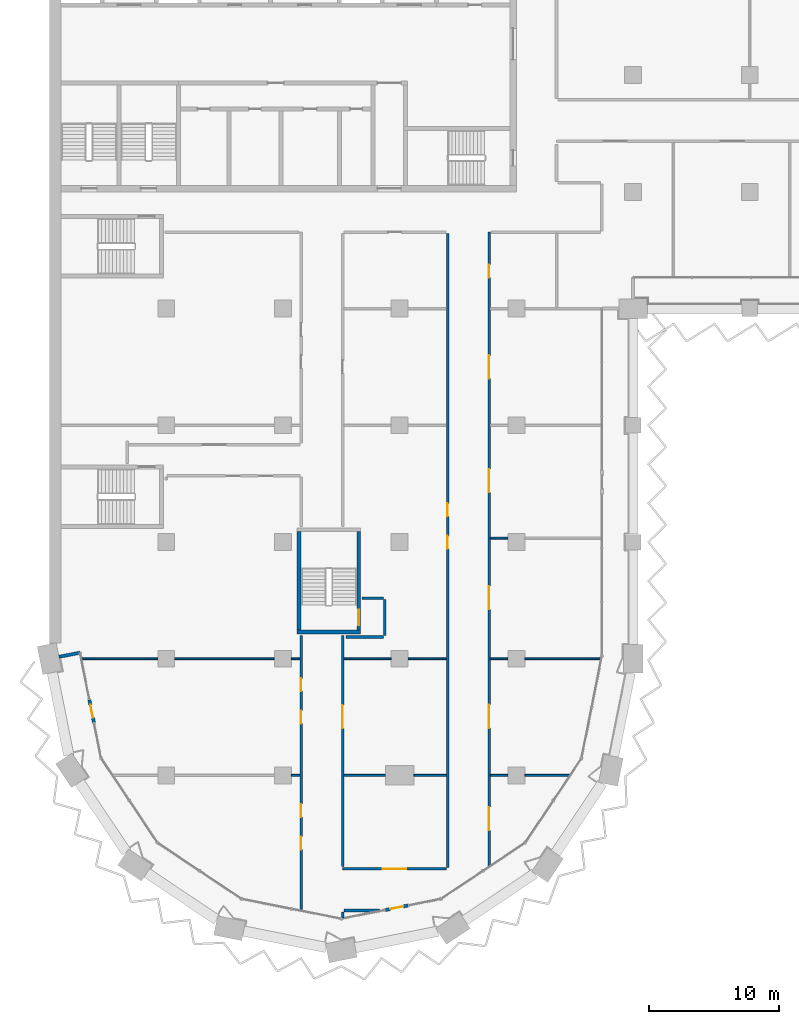
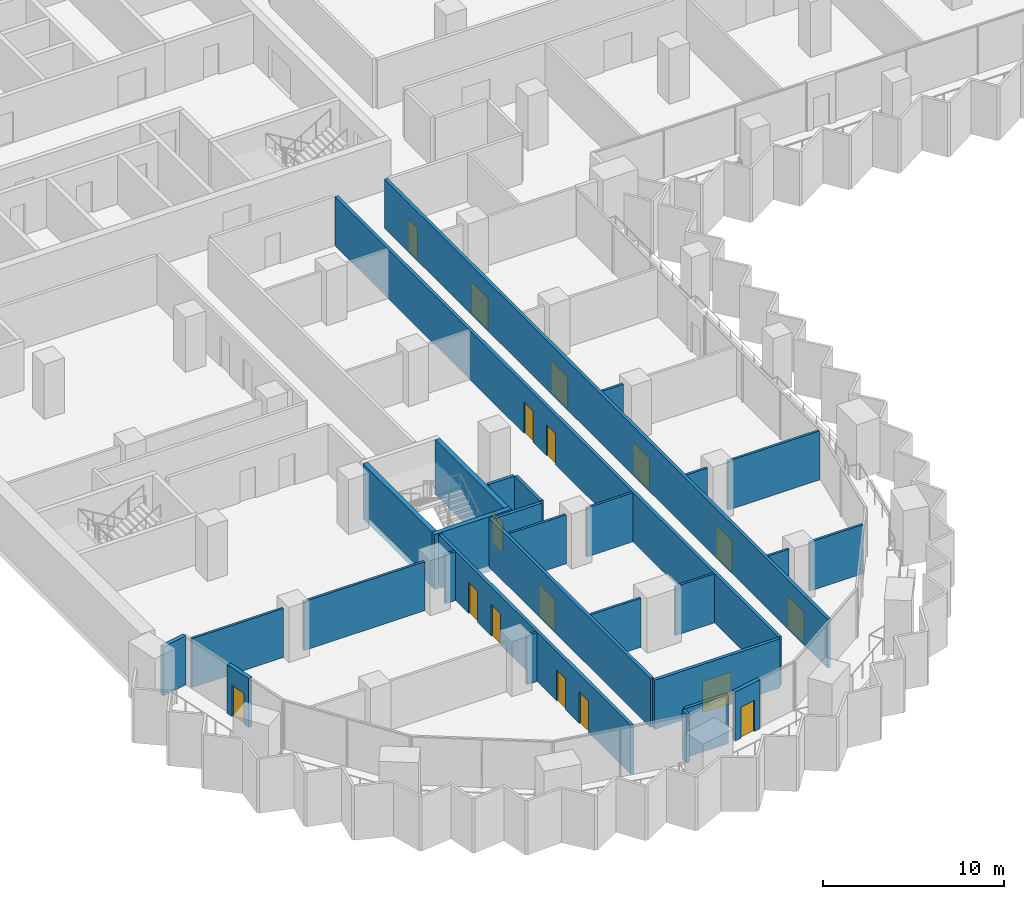
# One storey, part 9 of 22: 29 walls, 17 doors, 17 openings.
"""IFC4 building model written with IfcOpenShell, lengths in metres."""

from ifc_helpers import new_model, si_unit, direction, frame, frame_2d, origin, place, context, subcontext, project, spatial, rectangle, extrude, material, layer, layer_set, type_object, element, fill, save


model = new_model("IFC4")

# Units and contexts
model_context = context("Model", 3, precision=1e-05, world=origin(), true_north=direction((0.0, 1.0)))
body_context = subcontext(model_context, "Body", "Model", "MODEL_VIEW")
ifc_project = project(units=[si_unit("LENGTHUNIT", "METRE"), si_unit("AREAUNIT", "SQUARE_METRE"), si_unit("VOLUMEUNIT", "CUBIC_METRE"), si_unit("PLANEANGLEUNIT", "RADIAN"), si_unit("MASSUNIT", "GRAM", prefix="KILO")], contexts=[model_context])

# Site, building, storey
site_placement = place(None, origin())
site = spatial("IfcSite", under=ifc_project, at=site_placement, CompositionType="ELEMENT")
building_placement = place(site_placement, origin())
building = spatial("IfcBuilding", under=site, at=building_placement, Name="Hunhe Ridgeline Campus", CompositionType="ELEMENT")
storey_placement = place(building_placement, frame((0.0, 0.0, 88.5)))
storey = spatial("IfcBuildingStorey", under=building, at=storey_placement, Name="L21", CompositionType="ELEMENT", Elevation=88.5)

# Walls
ifc_material_1 = material(Name="Concrete C30", Category="concrete")
ifc_layer_1 = layer(ifc_material_1, 0.25)
ifc_layer_set_1 = layer_set([ifc_layer_1], Name="Corner return wall 250 Concrete C30")
wall_type_1 = type_object("IfcWallType", Name="Corner return wall 250 Concrete C30", PredefinedType="SOLIDWALL", material=ifc_layer_set_1)
wall_1_placement = place(storey_placement, frame((0.7353515625, 27.14697265625, 0.0), z_axis=(0.0, 0.0, 1.0), x_axis=(0.980824468215, 0.194893208067, 0.0)))
element("IfcWall", 1, at=wall_1_placement, inside=storey, type_object=wall_type_1, Name="Corner return wall 1", PredefinedType="SOLIDWALL", context=body_context, shape_type="SweptSolid", body=[
    extrude(rectangle(XDim=1.651123046875, YDim=0.25, at=frame_2d((0.82568359375, 0.0))), origin(), (0.0, 0.0, 1.0), 3.300048828125),
])
ifc_material_2 = material(Name="Gypsum board partition")
ifc_layer_2 = layer(ifc_material_2, 0.199951171875)
ifc_layer_set_2 = layer_set([ifc_layer_2], Name="Corridor partition 200 gypsum board on steel studs")
wall_type_2 = type_object("IfcWallType", Name="Corridor partition 200 gypsum board on steel studs", PredefinedType="PARTITIONING", material=ifc_layer_set_2)
wall_2_placement = place(storey_placement, frame((25.45068359375, 7.590087890625, 0.0), z_axis=(0.0, 0.0, 1.0), x_axis=(-1.0, 0.0, 0.0)))
element("IfcWall", 2, at=wall_2_placement, inside=storey, type_object=wall_type_2, Name="F-L21-wall-001", PredefinedType="PARTITIONING", context=body_context, shape_type="SweptSolid", body=[
    extrude(rectangle(XDim=2.750732421875, YDim=0.199951171875, at=frame_2d((1.37548828125, 0.0))), origin(), (0.0, 0.0, 1.0), 3.300048828125),
])

# Wall, opening, door
wall_3_placement = place(storey_placement, frame((22.60009765625, 10.799072265625, 0.0), z_axis=(0.0, 0.0, 1.0), x_axis=(1.0, 0.0, 0.0)))
wall_3 = element("IfcWall", 3, at=wall_3_placement, inside=storey, type_object=wall_type_2, Name="F-L21-wall-002", PredefinedType="PARTITIONING", context=body_context, shape_type="SweptSolid", body=[
    extrude(rectangle(XDim=8.0, YDim=0.199951171875, at=frame_2d((4.0, 0.0))), origin(), (0.0, 0.0, 1.0), 3.300048828125),
])
opening_1_placement = place(wall_3_placement, frame((3.10009765625, 0.0, 0.0)))
opening_1 = element("IfcOpeningElement", 4, at=opening_1_placement, cuts=wall_3, Name="Opening RD2-001", PredefinedType="OPENING", context=body_context, shape_type="SweptSolid", body=[
    extrude(rectangle(XDim=1.800048828125, YDim=2.10009765625, at=frame_2d((0.89990234375, 1.050048828125))), frame((0.0, 0.10009765625, 0.0), z_axis=(0.0, -1.0, 0.0), x_axis=(1.0, 0.0, 0.0)), (0.0, 0.0, 1.0), 0.199951171875),
])
ifc_material_3 = material(Name="Timber door leaf", Category="wood")
door_type_1 = type_object("IfcDoorType", Name="Double fire door 1800x2100 timber FD60", OperationType="DOUBLE_DOOR_SINGLE_SWING", PredefinedType="DOOR", material=ifc_material_3)
door_1_placement = place(opening_1_placement, origin())
door_1 = element("IfcDoor", 5, at=door_1_placement, inside=storey, type_object=door_type_1, Name="F-L21-door-001", OperationType="DOUBLE_DOOR_SINGLE_SWING", OverallHeight=2.10009765625, OverallWidth=1.800048828125, PredefinedType="DOOR", context=body_context, shape_type="SweptSolid", body=[
    extrude(rectangle(XDim=1.800048828125, YDim=2.10009765625, at=frame_2d((0.89990234375, 1.050048828125))), frame((0.0, 0.02490234375, 0.0), z_axis=(0.0, -1.0, 0.0), x_axis=(1.0, 0.0, 0.0)), (0.0, 0.0, 1.0), 0.050048828125),
])
fill(opening_1, door_1)

# Walls
wall_4_placement = place(storey_placement, frame((25.75, 28.675048828125, 0.0), z_axis=(0.0, 0.0, 1.0), x_axis=(-1.0, 0.0, 0.0)))
element("IfcWall", 6, at=wall_4_placement, inside=storey, type_object=wall_type_2, Name="F-L21-wall-017", PredefinedType="PARTITIONING", context=body_context, shape_type="SweptSolid", body=[
    extrude(rectangle(XDim=2.89990234375, YDim=0.199951171875, at=frame_2d((1.449951171875, 0.0))), origin(), (0.0, 0.0, 1.0), 3.300048828125),
])
wall_5_placement = place(storey_placement, frame((24.10400390625, 31.675048828125, 0.0), z_axis=(0.0, 0.0, 1.0), x_axis=(1.0, 0.0, 0.0)))
element("IfcWall", 7, at=wall_5_placement, inside=storey, type_object=wall_type_2, Name="F-L21-wall-018", PredefinedType="PARTITIONING", context=body_context, shape_type="SweptSolid", body=[
    extrude(rectangle(XDim=1.64599609375, YDim=0.199951171875, at=frame_2d((0.822998046875, 0.0))), origin(), (0.0, 0.0, 1.0), 3.300048828125),
])

# Wall, openings, doors
wall_6_placement = place(storey_placement, frame((19.39990234375, 7.61962890625, 0.0), z_axis=(0.0, 0.0, 1.0), x_axis=(0.0, 1.0, 0.0)))
wall_6 = element("IfcWall", 8, at=wall_6_placement, inside=storey, type_object=wall_type_2, Name="F-L21-wall-046", PredefinedType="PARTITIONING", context=body_context, shape_type="SweptSolid", body=[
    extrude(rectangle(XDim=21.17626953125, YDim=0.199951171875, at=frame_2d((10.588134765625, 0.0))), origin(), (0.0, 0.0, 1.0), 3.300048828125),
])
opening_2_placement = place(wall_6_placement, frame((4.66796875, 0.0, 0.0)))
opening_2 = element("IfcOpeningElement", 9, at=opening_2_placement, cuts=wall_6, Name="Opening RD1-002", PredefinedType="OPENING", context=body_context, shape_type="SweptSolid", body=[
    extrude(rectangle(XDim=1.0, YDim=2.10009765625, at=frame_2d((0.5, 1.050048828125))), frame((0.0, 0.10009765625, 0.0), z_axis=(0.0, -1.0, 0.0), x_axis=(1.0, 0.0, 0.0)), (0.0, 0.0, 1.0), 0.199951171875),
])
opening_3_placement = place(wall_6_placement, frame((7.16796875, 0.0, 0.0)))
opening_3 = element("IfcOpeningElement", 10, at=opening_3_placement, cuts=wall_6, Name="Opening RD1-004", PredefinedType="OPENING", context=body_context, shape_type="SweptSolid", body=[
    extrude(rectangle(XDim=1.0, YDim=2.10009765625, at=frame_2d((0.5, 1.050048828125))), frame((0.0, 0.10009765625, 0.0), z_axis=(0.0, -1.0, 0.0), x_axis=(1.0, 0.0, 0.0)), (0.0, 0.0, 1.0), 0.199951171875),
])
opening_4_placement = place(wall_6_placement, frame((14.373779296875, 0.0, 0.0)))
opening_4 = element("IfcOpeningElement", 11, at=opening_4_placement, cuts=wall_6, Name="Opening RD1-005", PredefinedType="OPENING", context=body_context, shape_type="SweptSolid", body=[
    extrude(rectangle(XDim=1.0, YDim=2.10009765625, at=frame_2d((0.5, 1.050048828125))), frame((0.0, 0.10009765625, 0.0), z_axis=(0.0, -1.0, 0.0), x_axis=(1.0, 0.0, 0.0)), (0.0, 0.0, 1.0), 0.199951171875),
])
opening_5_placement = place(wall_6_placement, frame((16.873779296875, 0.0, 0.0)))
opening_5 = element("IfcOpeningElement", 12, at=opening_5_placement, cuts=wall_6, Name="Opening RD1-008", PredefinedType="OPENING", context=body_context, shape_type="SweptSolid", body=[
    extrude(rectangle(XDim=1.0, YDim=2.10009765625, at=frame_2d((0.5, 1.050048828125))), frame((0.0, 0.10009765625, 0.0), z_axis=(0.0, -1.0, 0.0), x_axis=(1.0, 0.0, 0.0)), (0.0, 0.0, 1.0), 0.199951171875),
])
door_type_2 = type_object("IfcDoorType", Name="Single fire door 1000x2100 timber FD60", OperationType="NOTDEFINED", PredefinedType="DOOR", material=ifc_material_3)
door_2_placement = place(opening_2_placement, frame((1.0, 0.0, 0.0), z_axis=(0.0, 0.0, 1.0), x_axis=(-1.0, 0.0, 0.0)))
door_2 = element("IfcDoor", 13, at=door_2_placement, inside=storey, type_object=door_type_2, Name="F-L21-door-002", OperationType="SINGLE_SWING_RIGHT", OverallHeight=2.10009765625, OverallWidth=1.0, PredefinedType="DOOR", context=body_context, shape_type="SweptSolid", body=[
    extrude(rectangle(XDim=1.0, YDim=2.10009765625, at=frame_2d((0.5, 1.050048828125))), frame((0.0, 0.02490234375, 0.0), z_axis=(0.0, -1.0, 0.0), x_axis=(1.0, 0.0, 0.0)), (0.0, 0.0, 1.0), 0.050048828125),
])
fill(opening_2, door_2)
door_3_placement = place(opening_3_placement, frame((1.0, 0.0, 0.0), z_axis=(0.0, 0.0, 1.0), x_axis=(-1.0, 0.0, 0.0)))
door_3 = element("IfcDoor", 14, at=door_3_placement, inside=storey, type_object=door_type_2, Name="F-L21-door-004", OperationType="SINGLE_SWING_LEFT", OverallHeight=2.10009765625, OverallWidth=1.0, PredefinedType="DOOR", context=body_context, shape_type="SweptSolid", body=[
    extrude(rectangle(XDim=1.0, YDim=2.10009765625, at=frame_2d((0.5, 1.050048828125))), frame((0.0, 0.02490234375, 0.0), z_axis=(0.0, -1.0, 0.0), x_axis=(1.0, 0.0, 0.0)), (0.0, 0.0, 1.0), 0.050048828125),
])
fill(opening_3, door_3)
door_4_placement = place(opening_4_placement, frame((1.0, 0.0, 0.0), z_axis=(0.0, 0.0, 1.0), x_axis=(-1.0, 0.0, 0.0)))
door_4 = element("IfcDoor", 15, at=door_4_placement, inside=storey, type_object=door_type_2, Name="F-L21-door-005", OperationType="SINGLE_SWING_LEFT", OverallHeight=2.10009765625, OverallWidth=1.0, PredefinedType="DOOR", context=body_context, shape_type="SweptSolid", body=[
    extrude(rectangle(XDim=1.0, YDim=2.10009765625, at=frame_2d((0.5, 1.050048828125))), frame((0.0, 0.02490234375, 0.0), z_axis=(0.0, -1.0, 0.0), x_axis=(1.0, 0.0, 0.0)), (0.0, 0.0, 1.0), 0.050048828125),
])
fill(opening_4, door_4)
door_5_placement = place(opening_5_placement, frame((1.0, 0.0, 0.0), z_axis=(0.0, 0.0, 1.0), x_axis=(-1.0, 0.0, 0.0)))
door_5 = element("IfcDoor", 16, at=door_5_placement, inside=storey, type_object=door_type_2, Name="F-L21-door-008", OperationType="SINGLE_SWING_LEFT", OverallHeight=2.10009765625, OverallWidth=1.0, PredefinedType="DOOR", context=body_context, shape_type="SweptSolid", body=[
    extrude(rectangle(XDim=1.0, YDim=2.10009765625, at=frame_2d((0.5, 1.050048828125))), frame((0.0, 0.02490234375, 0.0), z_axis=(0.0, -1.0, 0.0), x_axis=(1.0, 0.0, 0.0)), (0.0, 0.0, 1.0), 0.050048828125),
])
fill(opening_5, door_5)

# Wall, opening, door
wall_7_placement = place(storey_placement, frame((22.60009765625, 28.7958984375, 0.0), z_axis=(0.0, 0.0, 1.0), x_axis=(0.0, -1.0, 0.0)))
wall_7 = element("IfcWall", 17, at=wall_7_placement, inside=storey, type_object=wall_type_2, Name="F-L21-wall-049", PredefinedType="PARTITIONING", context=body_context, shape_type="SweptSolid", body=[
    extrude(rectangle(XDim=17.814208984375, YDim=0.199951171875, at=frame_2d((8.9072265625, 0.0))), origin(), (0.0, 0.0, 1.0), 3.300048828125),
])
opening_6_placement = place(wall_7_placement, frame((5.37255859375, 0.0, 0.0)))
opening_6 = element("IfcOpeningElement", 18, at=opening_6_placement, cuts=wall_7, Name="Opening RD2-006", PredefinedType="OPENING", context=body_context, shape_type="SweptSolid", body=[
    extrude(rectangle(XDim=1.800048828125, YDim=2.10009765625, at=frame_2d((0.89990234375, 1.050048828125))), frame((0.0, 0.10009765625, 0.0), z_axis=(0.0, -1.0, 0.0), x_axis=(1.0, 0.0, 0.0)), (0.0, 0.0, 1.0), 0.199951171875),
])
door_6_placement = place(opening_6_placement, origin())
door_6 = element("IfcDoor", 19, at=door_6_placement, inside=storey, type_object=door_type_1, Name="F-L21-door-006", OperationType="DOUBLE_DOOR_SINGLE_SWING", OverallHeight=2.10009765625, OverallWidth=1.800048828125, PredefinedType="DOOR", context=body_context, shape_type="SweptSolid", body=[
    extrude(rectangle(XDim=1.800048828125, YDim=2.10009765625, at=frame_2d((0.89990234375, 1.050048828125))), frame((0.0, 0.02490234375, 0.0), z_axis=(0.0, -1.0, 0.0), x_axis=(1.0, 0.0, 0.0)), (0.0, 0.0, 1.0), 0.050048828125),
])
fill(opening_6, door_6)

# Walls
wall_8_placement = place(storey_placement, frame((22.60009765625, 7.489990234375, 0.0), z_axis=(0.0, 0.0, 1.0), x_axis=(0.0, -1.0, 0.0)))
element("IfcWall", 20, at=wall_8_placement, inside=storey, type_object=wall_type_2, Name="F-L21-wall-050", PredefinedType="PARTITIONING", context=body_context, shape_type="SweptSolid", body=[
    extrude(rectangle(XDim=0.467041015625, YDim=0.199951171875, at=frame_2d((0.2333984375, 0.0))), origin(), (0.0, 0.0, 1.0), 3.300048828125),
])
wall_9_placement = place(storey_placement, frame((25.85009765625, 31.574951171875, 0.0), z_axis=(0.0, 0.0, 1.0), x_axis=(0.0, -1.0, 0.0)))
element("IfcWall", 21, at=wall_9_placement, inside=storey, type_object=wall_type_2, Name="F-L21-wall-052", PredefinedType="PARTITIONING", context=body_context, shape_type="SweptSolid", body=[
    extrude(rectangle(XDim=2.800048828125, YDim=0.199951171875, at=frame_2d((1.39990234375, 0.0))), origin(), (0.0, 0.0, 1.0), 3.300048828125),
])

# Wall, openings, doors
wall_10_placement = place(storey_placement, frame((30.699951171875, 10.89892578125, 0.0), z_axis=(0.0, 0.0, 1.0), x_axis=(0.0, 1.0, 0.0)))
wall_10 = element("IfcWall", 22, at=wall_10_placement, inside=storey, type_object=wall_type_2, Name="F-L21-wall-053", PredefinedType="PARTITIONING", context=body_context, shape_type="SweptSolid", body=[
    extrude(rectangle(XDim=48.901123046875, YDim=0.199951171875, at=frame_2d((24.45068359375, 0.0))), origin(), (0.0, 0.0, 1.0), 3.300048828125),
])
opening_7_placement = place(wall_10_placement, frame((24.577392578125, 0.0, 0.0)))
opening_7 = element("IfcOpeningElement", 23, at=opening_7_placement, cuts=wall_10, Name="Opening RD1-010", PredefinedType="OPENING", context=body_context, shape_type="SweptSolid", body=[
    extrude(rectangle(XDim=1.0, YDim=2.10009765625, at=frame_2d((0.5, 1.050048828125))), frame((0.0, 0.10009765625, 0.0), z_axis=(0.0, -1.0, 0.0), x_axis=(1.0, 0.0, 0.0)), (0.0, 0.0, 1.0), 0.199951171875),
])
opening_8_placement = place(wall_10_placement, frame((27.077392578125, 0.0, 0.0)))
opening_8 = element("IfcOpeningElement", 24, at=opening_8_placement, cuts=wall_10, Name="Opening RD1-011", PredefinedType="OPENING", context=body_context, shape_type="SweptSolid", body=[
    extrude(rectangle(XDim=1.0, YDim=2.10009765625, at=frame_2d((0.5, 1.050048828125))), frame((0.0, 0.10009765625, 0.0), z_axis=(0.0, -1.0, 0.0), x_axis=(1.0, 0.0, 0.0)), (0.0, 0.0, 1.0), 0.199951171875),
])
door_7_placement = place(opening_7_placement, frame((1.0, 0.0, 0.0), z_axis=(0.0, 0.0, 1.0), x_axis=(-1.0, 0.0, 0.0)))
door_7 = element("IfcDoor", 25, at=door_7_placement, inside=storey, type_object=door_type_2, Name="F-L21-door-010", OperationType="SINGLE_SWING_RIGHT", OverallHeight=2.10009765625, OverallWidth=1.0, PredefinedType="DOOR", context=body_context, shape_type="SweptSolid", body=[
    extrude(rectangle(XDim=1.0, YDim=2.10009765625, at=frame_2d((0.5, 1.050048828125))), frame((0.0, 0.02490234375, 0.0), z_axis=(0.0, -1.0, 0.0), x_axis=(1.0, 0.0, 0.0)), (0.0, 0.0, 1.0), 0.050048828125),
])
fill(opening_7, door_7)
door_8_placement = place(opening_8_placement, frame((1.0, 0.0, 0.0), z_axis=(0.0, 0.0, 1.0), x_axis=(-1.0, 0.0, 0.0)))
door_8 = element("IfcDoor", 26, at=door_8_placement, inside=storey, type_object=door_type_2, Name="F-L21-door-011", OperationType="SINGLE_SWING_LEFT", OverallHeight=2.10009765625, OverallWidth=1.0, PredefinedType="DOOR", context=body_context, shape_type="SweptSolid", body=[
    extrude(rectangle(XDim=1.0, YDim=2.10009765625, at=frame_2d((0.5, 1.050048828125))), frame((0.0, 0.02490234375, 0.0), z_axis=(0.0, -1.0, 0.0), x_axis=(1.0, 0.0, 0.0)), (0.0, 0.0, 1.0), 0.050048828125),
])
fill(opening_8, door_8)

wall_11_placement = place(storey_placement, frame((33.89990234375, 59.89990234375, 0.0), z_axis=(0.0, 0.0, 1.0), x_axis=(0.0, -1.0, 0.0)))
wall_11 = element("IfcWall", 27, at=wall_11_placement, inside=storey, type_object=wall_type_2, Name="F-L21-wall-054", PredefinedType="PARTITIONING", context=body_context, shape_type="SweptSolid", body=[
    extrude(rectangle(XDim=48.87060546875, YDim=0.199951171875, at=frame_2d((24.435302734375, 0.0))), origin(), (0.0, 0.0, 1.0), 3.300048828125),
])
opening_9_placement = place(wall_11_placement, frame((44.336669921875, 0.0, 0.0)))
opening_9 = element("IfcOpeningElement", 28, at=opening_9_placement, cuts=wall_11, Name="Opening RD2-003", PredefinedType="OPENING", context=body_context, shape_type="SweptSolid", body=[
    extrude(rectangle(XDim=1.800048828125, YDim=2.10009765625, at=frame_2d((0.89990234375, 1.050048828125))), frame((0.0, 0.10009765625, 0.0), z_axis=(0.0, -1.0, 0.0), x_axis=(1.0, 0.0, 0.0)), (0.0, 0.0, 1.0), 0.199951171875),
])
opening_10_placement = place(wall_11_placement, frame((36.442138671875, 0.0, 0.0)))
opening_10 = element("IfcOpeningElement", 29, at=opening_10_placement, cuts=wall_11, Name="Opening RD2-007", PredefinedType="OPENING", context=body_context, shape_type="SweptSolid", body=[
    extrude(rectangle(XDim=1.800048828125, YDim=2.10009765625, at=frame_2d((0.89990234375, 1.050048828125))), frame((0.0, 0.10009765625, 0.0), z_axis=(0.0, -1.0, 0.0), x_axis=(1.0, 0.0, 0.0)), (0.0, 0.0, 1.0), 0.199951171875),
])
opening_11_placement = place(wall_11_placement, frame((27.294677734375, 0.0, 0.0)))
opening_11 = element("IfcOpeningElement", 30, at=opening_11_placement, cuts=wall_11, Name="Opening RD2-009", PredefinedType="OPENING", context=body_context, shape_type="SweptSolid", body=[
    extrude(rectangle(XDim=1.800048828125, YDim=2.10009765625, at=frame_2d((0.89990234375, 1.050048828125))), frame((0.0, 0.10009765625, 0.0), z_axis=(0.0, -1.0, 0.0), x_axis=(1.0, 0.0, 0.0)), (0.0, 0.0, 1.0), 0.199951171875),
])
opening_12_placement = place(wall_11_placement, frame((18.2724609375, 0.0, 0.0)))
opening_12 = element("IfcOpeningElement", 31, at=opening_12_placement, cuts=wall_11, Name="Opening RD2-012", PredefinedType="OPENING", context=body_context, shape_type="SweptSolid", body=[
    extrude(rectangle(XDim=1.800048828125, YDim=2.10009765625, at=frame_2d((0.89990234375, 1.050048828125))), frame((0.0, 0.10009765625, 0.0), z_axis=(0.0, -1.0, 0.0), x_axis=(1.0, 0.0, 0.0)), (0.0, 0.0, 1.0), 0.199951171875),
])
opening_13_placement = place(wall_11_placement, frame((9.500732421875, 0.0, 0.0)))
opening_13 = element("IfcOpeningElement", 32, at=opening_13_placement, cuts=wall_11, Name="Opening RD2-017", PredefinedType="OPENING", context=body_context, shape_type="SweptSolid", body=[
    extrude(rectangle(XDim=1.800048828125, YDim=2.10009765625, at=frame_2d((0.89990234375, 1.050048828125))), frame((0.0, 0.10009765625, 0.0), z_axis=(0.0, -1.0, 0.0), x_axis=(1.0, 0.0, 0.0)), (0.0, 0.0, 1.0), 0.199951171875),
])
opening_14_placement = place(wall_11_placement, frame((2.50732421875, 0.0, 0.0)))
opening_14 = element("IfcOpeningElement", 33, at=opening_14_placement, cuts=wall_11, Name="Opening RD1-020", PredefinedType="OPENING", context=body_context, shape_type="SweptSolid", body=[
    extrude(rectangle(XDim=1.0, YDim=2.10009765625, at=frame_2d((0.5, 1.050048828125))), frame((0.0, 0.10009765625, 0.0), z_axis=(0.0, -1.0, 0.0), x_axis=(1.0, 0.0, 0.0)), (0.0, 0.0, 1.0), 0.199951171875),
])
door_9_placement = place(opening_9_placement, origin())
door_9 = element("IfcDoor", 34, at=door_9_placement, inside=storey, type_object=door_type_1, Name="F-L21-door-003", OperationType="DOUBLE_DOOR_SINGLE_SWING", OverallHeight=2.10009765625, OverallWidth=1.800048828125, PredefinedType="DOOR", context=body_context, shape_type="SweptSolid", body=[
    extrude(rectangle(XDim=1.800048828125, YDim=2.10009765625, at=frame_2d((0.89990234375, 1.050048828125))), frame((0.0, 0.02490234375, 0.0), z_axis=(0.0, -1.0, 0.0), x_axis=(1.0, 0.0, 0.0)), (0.0, 0.0, 1.0), 0.050048828125),
])
fill(opening_9, door_9)
door_10_placement = place(opening_10_placement, origin())
door_10 = element("IfcDoor", 35, at=door_10_placement, inside=storey, type_object=door_type_1, Name="F-L21-door-007", OperationType="DOUBLE_DOOR_SINGLE_SWING", OverallHeight=2.10009765625, OverallWidth=1.800048828125, PredefinedType="DOOR", context=body_context, shape_type="SweptSolid", body=[
    extrude(rectangle(XDim=1.800048828125, YDim=2.10009765625, at=frame_2d((0.89990234375, 1.050048828125))), frame((0.0, 0.02490234375, 0.0), z_axis=(0.0, -1.0, 0.0), x_axis=(1.0, 0.0, 0.0)), (0.0, 0.0, 1.0), 0.050048828125),
])
fill(opening_10, door_10)
door_11_placement = place(opening_11_placement, origin())
door_11 = element("IfcDoor", 36, at=door_11_placement, inside=storey, type_object=door_type_1, Name="F-L21-door-009", OperationType="DOUBLE_DOOR_SINGLE_SWING", OverallHeight=2.10009765625, OverallWidth=1.800048828125, PredefinedType="DOOR", context=body_context, shape_type="SweptSolid", body=[
    extrude(rectangle(XDim=1.800048828125, YDim=2.10009765625, at=frame_2d((0.89990234375, 1.050048828125))), frame((0.0, 0.02490234375, 0.0), z_axis=(0.0, -1.0, 0.0), x_axis=(1.0, 0.0, 0.0)), (0.0, 0.0, 1.0), 0.050048828125),
])
fill(opening_11, door_11)
door_12_placement = place(opening_12_placement, origin())
door_12 = element("IfcDoor", 37, at=door_12_placement, inside=storey, type_object=door_type_1, Name="F-L21-door-012", OperationType="DOUBLE_DOOR_SINGLE_SWING", OverallHeight=2.10009765625, OverallWidth=1.800048828125, PredefinedType="DOOR", context=body_context, shape_type="SweptSolid", body=[
    extrude(rectangle(XDim=1.800048828125, YDim=2.10009765625, at=frame_2d((0.89990234375, 1.050048828125))), frame((0.0, 0.02490234375, 0.0), z_axis=(0.0, -1.0, 0.0), x_axis=(1.0, 0.0, 0.0)), (0.0, 0.0, 1.0), 0.050048828125),
])
fill(opening_12, door_12)
door_13_placement = place(opening_13_placement, origin())
door_13 = element("IfcDoor", 38, at=door_13_placement, inside=storey, type_object=door_type_1, Name="F-L21-door-017", OperationType="DOUBLE_DOOR_SINGLE_SWING", OverallHeight=2.10009765625, OverallWidth=1.800048828125, PredefinedType="DOOR", context=body_context, shape_type="SweptSolid", body=[
    extrude(rectangle(XDim=1.800048828125, YDim=2.10009765625, at=frame_2d((0.89990234375, 1.050048828125))), frame((0.0, 0.02490234375, 0.0), z_axis=(0.0, -1.0, 0.0), x_axis=(1.0, 0.0, 0.0)), (0.0, 0.0, 1.0), 0.050048828125),
])
fill(opening_13, door_13)
door_14_placement = place(opening_14_placement, origin())
door_14 = element("IfcDoor", 39, at=door_14_placement, inside=storey, type_object=door_type_2, Name="F-L21-door-020", OperationType="SINGLE_SWING_LEFT", OverallHeight=2.10009765625, OverallWidth=1.0, PredefinedType="DOOR", context=body_context, shape_type="SweptSolid", body=[
    extrude(rectangle(XDim=1.0, YDim=2.10009765625, at=frame_2d((0.5, 1.050048828125))), frame((0.0, 0.02490234375, 0.0), z_axis=(0.0, -1.0, 0.0), x_axis=(1.0, 0.0, 0.0)), (0.0, 0.0, 1.0), 0.050048828125),
])
fill(opening_14, door_14)

# Wall, opening, door
ifc_layer_3 = layer(ifc_material_1, 0.25)
ifc_layer_set_3 = layer_set([ifc_layer_3], Name="Loggia door pier wall 250 Concrete C30")
wall_type_3 = type_object("IfcWallType", Name="Loggia door pier wall 250 Concrete C30", PredefinedType="SOLIDWALL", material=ifc_layer_set_3)
wall_12_placement = place(storey_placement, frame((3.076904296875, 23.8388671875, 0.0), z_axis=(0.0, 0.0, 1.0), x_axis=(0.195046569833, -0.980793982239, 0.0)))
wall_12 = element("IfcWall", 40, at=wall_12_placement, inside=storey, type_object=wall_type_3, Name="Loggia door pier 1", PredefinedType="SOLIDWALL", context=body_context, shape_type="SweptSolid", body=[
    extrude(rectangle(XDim=1.800048828125, YDim=0.25, at=frame_2d((0.89990234375, 0.0))), origin(), (0.0, 0.0, 1.0), 3.300048828125),
])
opening_15_placement = place(wall_12_placement, frame((0.39990234375, 0.0, 0.0)))
opening_15 = element("IfcOpeningElement", 41, at=opening_15_placement, cuts=wall_12, Name="Opening BD201", PredefinedType="OPENING", context=body_context, shape_type="SweptSolid", body=[
    extrude(rectangle(XDim=1.0, YDim=2.10009765625, at=frame_2d((0.5, 1.050048828125))), frame((0.0, 0.125, 0.0), z_axis=(0.0, -1.0, 0.0), x_axis=(1.0, 0.0, 0.0)), (0.0, 0.0, 1.0), 0.25),
])
ifc_material_4 = material(Name="Aluminium 6063", Category="aluminium")
door_type_3 = type_object("IfcDoorType", Name="Loggia glazed door 1000x2100", OperationType="NOTDEFINED", PredefinedType="DOOR", material=ifc_material_4)
door_15_placement = place(opening_15_placement, frame((1.0, 0.0, 0.0), z_axis=(0.0, 0.0, 1.0), x_axis=(-1.0, 0.0, 0.0)))
door_15 = element("IfcDoor", 42, at=door_15_placement, inside=storey, type_object=door_type_3, Name="Loggia door BD201", OperationType="SINGLE_SWING_RIGHT", OverallHeight=2.10009765625, OverallWidth=1.0, PredefinedType="DOOR", context=body_context, shape_type="SweptSolid", body=[
    extrude(rectangle(XDim=1.0, YDim=2.10009765625, at=frame_2d((0.5, 1.050048828125))), frame((0.0, 0.02490234375, 0.0), z_axis=(0.0, -1.0, 0.0), x_axis=(1.0, 0.0, 0.0)), (0.0, 0.0, 1.0), 0.050048828125),
])
fill(opening_15, door_15)

wall_13_placement = place(storey_placement, frame((25.8955078125, 7.62353515625, 0.0), z_axis=(0.0, 0.0, 1.0), x_axis=(0.980793982239, 0.195046569833, 0.0)))
wall_13 = element("IfcWall", 43, at=wall_13_placement, inside=storey, type_object=wall_type_3, Name="Loggia door pier 2", PredefinedType="SOLIDWALL", context=body_context, shape_type="SweptSolid", body=[
    extrude(rectangle(XDim=1.800048828125, YDim=0.25, at=frame_2d((0.89990234375, 0.0))), origin(), (0.0, 0.0, 1.0), 3.300048828125),
])
opening_16_placement = place(wall_13_placement, frame((0.39990234375, 0.0, 0.0)))
opening_16 = element("IfcOpeningElement", 44, at=opening_16_placement, cuts=wall_13, Name="Opening BD203", PredefinedType="OPENING", context=body_context, shape_type="SweptSolid", body=[
    extrude(rectangle(XDim=1.0, YDim=2.10009765625, at=frame_2d((0.5, 1.050048828125))), frame((0.0, 0.125, 0.0), z_axis=(0.0, -1.0, 0.0), x_axis=(1.0, 0.0, 0.0)), (0.0, 0.0, 1.0), 0.25),
])
door_16_placement = place(opening_16_placement, frame((1.0, 0.0, 0.0), z_axis=(0.0, 0.0, 1.0), x_axis=(-1.0, 0.0, 0.0)))
door_16 = element("IfcDoor", 45, at=door_16_placement, inside=storey, type_object=door_type_3, Name="Loggia door BD203", OperationType="SINGLE_SWING_RIGHT", OverallHeight=2.10009765625, OverallWidth=1.0, PredefinedType="DOOR", context=body_context, shape_type="SweptSolid", body=[
    extrude(rectangle(XDim=1.0, YDim=2.10009765625, at=frame_2d((0.5, 1.050048828125))), frame((0.0, 0.02490234375, 0.0), z_axis=(0.0, -1.0, 0.0), x_axis=(1.0, 0.0, 0.0)), (0.0, 0.0, 1.0), 0.050048828125),
])
fill(opening_16, door_16)

# Walls
ifc_layer_4 = layer(ifc_material_2, 0.14990234375)
ifc_layer_set_4 = layer_set([ifc_layer_4], Name="Room partition 150 gypsum board on steel studs")
wall_type_4 = type_object("IfcWallType", Name="Room partition 150 gypsum board on steel studs", PredefinedType="PARTITIONING", material=ifc_layer_set_4)
wall_14_placement = place(storey_placement, frame((18.64990234375, 18.0, 0.0), z_axis=(0.0, 0.0, 1.0), x_axis=(1.0, 0.0, 0.0)))
element("IfcWall", 46, at=wall_14_placement, inside=storey, type_object=wall_type_4, Name="F-L21-wall-005", PredefinedType="PARTITIONING", context=body_context, shape_type="SweptSolid", body=[
    extrude(rectangle(XDim=0.650146484375, YDim=0.14990234375, at=frame_2d((0.3251953125, 0.0))), origin(), (0.0, 0.0, 1.0), 3.300048828125),
])
wall_15_placement = place(storey_placement, frame((22.699951171875, 18.0, 0.0), z_axis=(0.0, 0.0, 1.0), x_axis=(1.0, 0.0, 0.0)))
element("IfcWall", 47, at=wall_15_placement, inside=storey, type_object=wall_type_4, Name="F-L21-wall-006", PredefinedType="PARTITIONING", context=body_context, shape_type="SweptSolid", body=[
    extrude(rectangle(XDim=3.199951171875, YDim=0.14990234375, at=frame_2d((1.60009765625, 0.0))), origin(), (0.0, 0.0, 1.0), 3.300048828125),
])
wall_16_placement = place(storey_placement, frame((28.10009765625, 18.0, 0.0), z_axis=(0.0, 0.0, 1.0), x_axis=(1.0, 0.0, 0.0)))
element("IfcWall", 48, at=wall_16_placement, inside=storey, type_object=wall_type_4, Name="F-L21-wall-007", PredefinedType="PARTITIONING", context=body_context, shape_type="SweptSolid", body=[
    extrude(rectangle(XDim=2.5, YDim=0.14990234375, at=frame_2d((1.25, 0.0))), origin(), (0.0, 0.0, 1.0), 3.300048828125),
])
wall_17_placement = place(storey_placement, frame((34.0, 18.0, 0.0), z_axis=(0.0, 0.0, 1.0), x_axis=(1.0, 0.0, 0.0)))
element("IfcWall", 49, at=wall_17_placement, inside=storey, type_object=wall_type_4, Name="F-L21-wall-008", PredefinedType="PARTITIONING", context=body_context, shape_type="SweptSolid", body=[
    extrude(rectangle(XDim=1.35009765625, YDim=0.14990234375, at=frame_2d((0.675048828125, 0.0))), origin(), (0.0, 0.0, 1.0), 3.300048828125),
])
wall_18_placement = place(storey_placement, frame((36.64990234375, 18.0, 0.0), z_axis=(0.0, 0.0, 1.0), x_axis=(1.0, 0.0, 0.0)))
element("IfcWall", 50, at=wall_18_placement, inside=storey, type_object=wall_type_4, Name="F-L21-wall-009", PredefinedType="PARTITIONING", context=body_context, shape_type="SweptSolid", body=[
    extrude(rectangle(XDim=3.424560546875, YDim=0.14990234375, at=frame_2d((1.71240234375, 0.0))), origin(), (0.0, 0.0, 1.0), 3.300048828125),
])
wall_19_placement = place(storey_placement, frame((2.503173828125, 27.0, 0.0), z_axis=(0.0, 0.0, 1.0), x_axis=(1.0, 0.0, 0.0)))
element("IfcWall", 51, at=wall_19_placement, inside=storey, type_object=wall_type_4, Name="F-L21-wall-010", PredefinedType="PARTITIONING", context=body_context, shape_type="SweptSolid", body=[
    extrude(rectangle(XDim=5.846923828125, YDim=0.14990234375, at=frame_2d((2.92333984375, 0.0))), origin(), (0.0, 0.0, 1.0), 3.300048828125),
])
wall_20_placement = place(storey_placement, frame((9.64990234375, 27.0, 0.0), z_axis=(0.0, 0.0, 1.0), x_axis=(1.0, 0.0, 0.0)))
element("IfcWall", 52, at=wall_20_placement, inside=storey, type_object=wall_type_4, Name="F-L21-wall-011", PredefinedType="PARTITIONING", context=body_context, shape_type="SweptSolid", body=[
    extrude(rectangle(XDim=7.7001953125, YDim=0.14990234375, at=frame_2d((3.85009765625, 0.0))), origin(), (0.0, 0.0, 1.0), 3.300048828125),
])
wall_21_placement = place(storey_placement, frame((18.64990234375, 27.0, 0.0), z_axis=(0.0, 0.0, 1.0), x_axis=(1.0, 0.0, 0.0)))
element("IfcWall", 53, at=wall_21_placement, inside=storey, type_object=wall_type_4, Name="F-L21-wall-012", PredefinedType="PARTITIONING", context=body_context, shape_type="SweptSolid", body=[
    extrude(rectangle(XDim=0.650146484375, YDim=0.14990234375, at=frame_2d((0.3251953125, 0.0))), origin(), (0.0, 0.0, 1.0), 3.300048828125),
])
wall_22_placement = place(storey_placement, frame((22.699951171875, 27.0, 0.0), z_axis=(0.0, 0.0, 1.0), x_axis=(1.0, 0.0, 0.0)))
element("IfcWall", 54, at=wall_22_placement, inside=storey, type_object=wall_type_4, Name="F-L21-wall-013", PredefinedType="PARTITIONING", context=body_context, shape_type="SweptSolid", body=[
    extrude(rectangle(XDim=3.650146484375, YDim=0.14990234375, at=frame_2d((1.8251953125, 0.0))), origin(), (0.0, 0.0, 1.0), 3.300048828125),
])
wall_23_placement = place(storey_placement, frame((27.64990234375, 27.0, 0.0), z_axis=(0.0, 0.0, 1.0), x_axis=(1.0, 0.0, 0.0)))
element("IfcWall", 55, at=wall_23_placement, inside=storey, type_object=wall_type_4, Name="F-L21-wall-014", PredefinedType="PARTITIONING", context=body_context, shape_type="SweptSolid", body=[
    extrude(rectangle(XDim=2.9501953125, YDim=0.14990234375, at=frame_2d((1.47509765625, 0.0))), origin(), (0.0, 0.0, 1.0), 3.300048828125),
])
wall_24_placement = place(storey_placement, frame((34.0, 27.0, 0.0), z_axis=(0.0, 0.0, 1.0), x_axis=(1.0, 0.0, 0.0)))
element("IfcWall", 56, at=wall_24_placement, inside=storey, type_object=wall_type_4, Name="F-L21-wall-015", PredefinedType="PARTITIONING", context=body_context, shape_type="SweptSolid", body=[
    extrude(rectangle(XDim=1.35009765625, YDim=0.14990234375, at=frame_2d((0.675048828125, 0.0))), origin(), (0.0, 0.0, 1.0), 3.300048828125),
])
wall_25_placement = place(storey_placement, frame((36.64990234375, 27.0, 0.0), z_axis=(0.0, 0.0, 1.0), x_axis=(1.0, 0.0, 0.0)))
element("IfcWall", 57, at=wall_25_placement, inside=storey, type_object=wall_type_4, Name="F-L21-wall-016", PredefinedType="PARTITIONING", context=body_context, shape_type="SweptSolid", body=[
    extrude(rectangle(XDim=5.846923828125, YDim=0.14990234375, at=frame_2d((2.92333984375, 0.0))), origin(), (0.0, 0.0, 1.0), 3.300048828125),
])
wall_26_placement = place(storey_placement, frame((34.0, 36.300048828125, 0.0), z_axis=(0.0, 0.0, 1.0), x_axis=(1.0, 0.0, 0.0)))
element("IfcWall", 58, at=wall_26_placement, inside=storey, type_object=wall_type_4, Name="F-L21-wall-019", PredefinedType="PARTITIONING", context=body_context, shape_type="SweptSolid", body=[
    extrude(rectangle(XDim=1.35009765625, YDim=0.14990234375, at=frame_2d((0.675048828125, 0.0))), origin(), (0.0, 0.0, 1.0), 3.300048828125),
])
ifc_material_5 = material(Name="Concrete C80", Category="concrete")
ifc_layer_5 = layer(ifc_material_5, 0.300048828125)
ifc_layer_set_5 = layer_set([ifc_layer_5], Name="Stair wall 300 reinforced concrete C80")
wall_type_5 = type_object("IfcWallType", Name="Stair wall 300 reinforced concrete C80", PredefinedType="SOLIDWALL", material=ifc_layer_set_5)
wall_27_placement = place(storey_placement, frame((19.10009765625, 29.050048828125, -0.39990234375), z_axis=(0.0, 0.0, 1.0), x_axis=(1.0, 0.0, 0.0)))
element("IfcWall", 59, at=wall_27_placement, inside=storey, type_object=wall_type_5, Name="L21 core wall 1", PredefinedType="SOLIDWALL", context=body_context, shape_type="SweptSolid", body=[
    extrude(rectangle(XDim=4.89990234375, YDim=0.300048828125, at=frame_2d((2.449951171875, 0.0))), origin(), (0.0, 0.0, 1.0), 3.699951171875),
])
wall_28_placement = place(storey_placement, frame((19.25, 29.199951171875, -0.39990234375), z_axis=(0.0, 0.0, 1.0), x_axis=(0.0, 1.0, 0.0)))
element("IfcWall", 60, at=wall_28_placement, inside=storey, type_object=wall_type_5, Name="L21 core wall 48", PredefinedType="SOLIDWALL", context=body_context, shape_type="SweptSolid", body=[
    extrude(rectangle(XDim=7.60009765625, YDim=0.300048828125, at=frame_2d((3.800048828125, 0.0))), origin(), (0.0, 0.0, 1.0), 3.699951171875),
])

# Wall, opening, door
wall_29_placement = place(storey_placement, frame((23.85009765625, 29.199951171875, -0.39990234375), z_axis=(0.0, 0.0, 1.0), x_axis=(0.0, 1.0, 0.0)))
wall_29 = element("IfcWall", 61, at=wall_29_placement, inside=storey, type_object=wall_type_5, Name="L21 core wall 53", PredefinedType="SOLIDWALL", context=body_context, shape_type="SweptSolid", body=[
    extrude(rectangle(XDim=7.60009765625, YDim=0.300048828125, at=frame_2d((3.800048828125, 0.0))), origin(), (0.0, 0.0, 1.0), 3.699951171875),
])
opening_17_placement = place(wall_29_placement, frame((0.375, 0.0, 0.39990234375)))
opening_17 = element("IfcOpeningElement", 62, at=opening_17_placement, cuts=wall_29, Name="Opening CD23", PredefinedType="OPENING", context=body_context, shape_type="SweptSolid", body=[
    extrude(rectangle(XDim=1.199951171875, YDim=2.10009765625, at=frame_2d((0.60009765625, 1.050048828125))), frame((0.0, 0.14990234375, 0.0), z_axis=(0.0, -1.0, 0.0), x_axis=(1.0, 0.0, 0.0)), (0.0, 0.0, 1.0), 0.300048828125),
])
ifc_material_6 = material(Name="Hollow metal fire door leaf")
door_type_4 = type_object("IfcDoorType", Name="Stair door 1200x2100 FD60", OperationType="SINGLE_SWING_LEFT", PredefinedType="DOOR", material=ifc_material_6)
door_17_placement = place(opening_17_placement, frame((1.199951171875, 0.0, 0.0), z_axis=(0.0, 0.0, 1.0), x_axis=(-1.0, 0.0, 0.0)))
door_17 = element("IfcDoor", 63, at=door_17_placement, inside=storey, type_object=door_type_4, Name="L21 door W3", OperationType="SINGLE_SWING_LEFT", OverallHeight=2.10009765625, OverallWidth=1.199951171875, PredefinedType="DOOR", context=body_context, shape_type="SweptSolid", body=[
    extrude(rectangle(XDim=1.199951171875, YDim=2.10009765625, at=frame_2d((0.60009765625, 1.050048828125))), frame((0.0, 0.02490234375, 0.0), z_axis=(0.0, -1.0, 0.0), x_axis=(1.0, 0.0, 0.0)), (0.0, 0.0, 1.0), 0.050048828125),
])
fill(opening_17, door_17)

save(model, "model.ifc")
